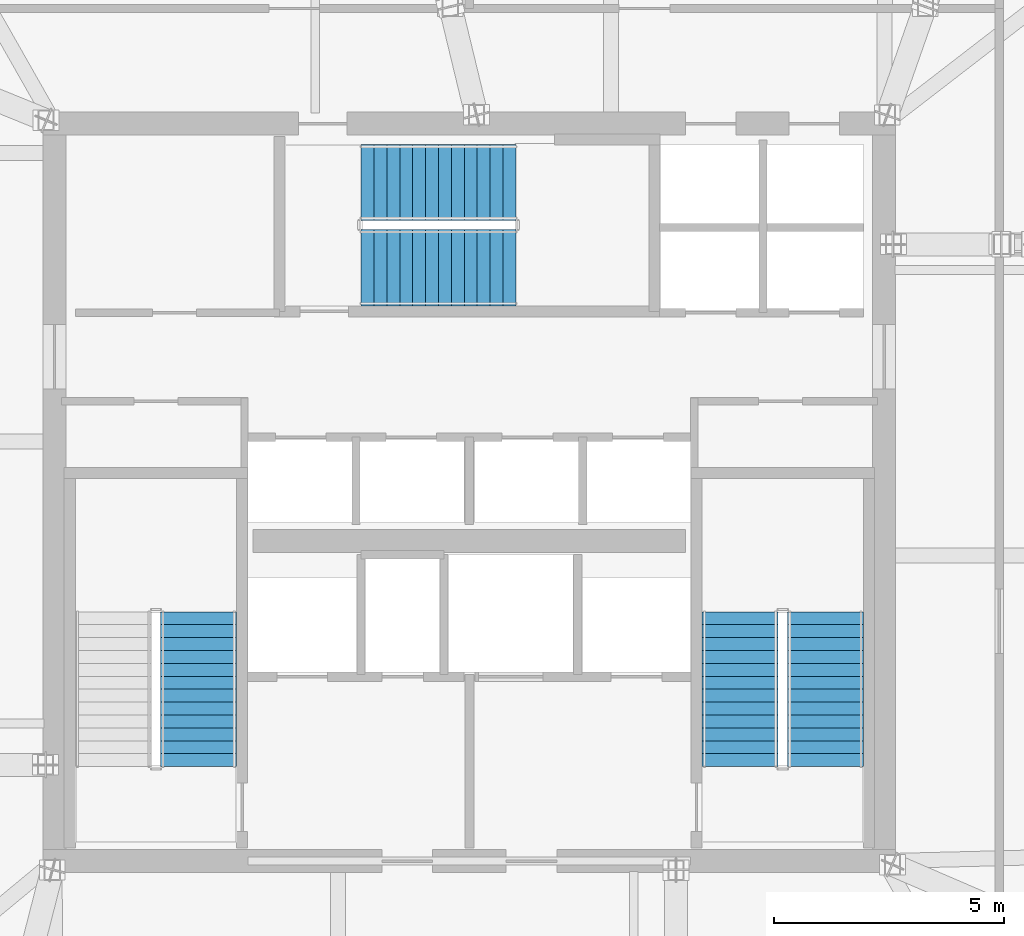
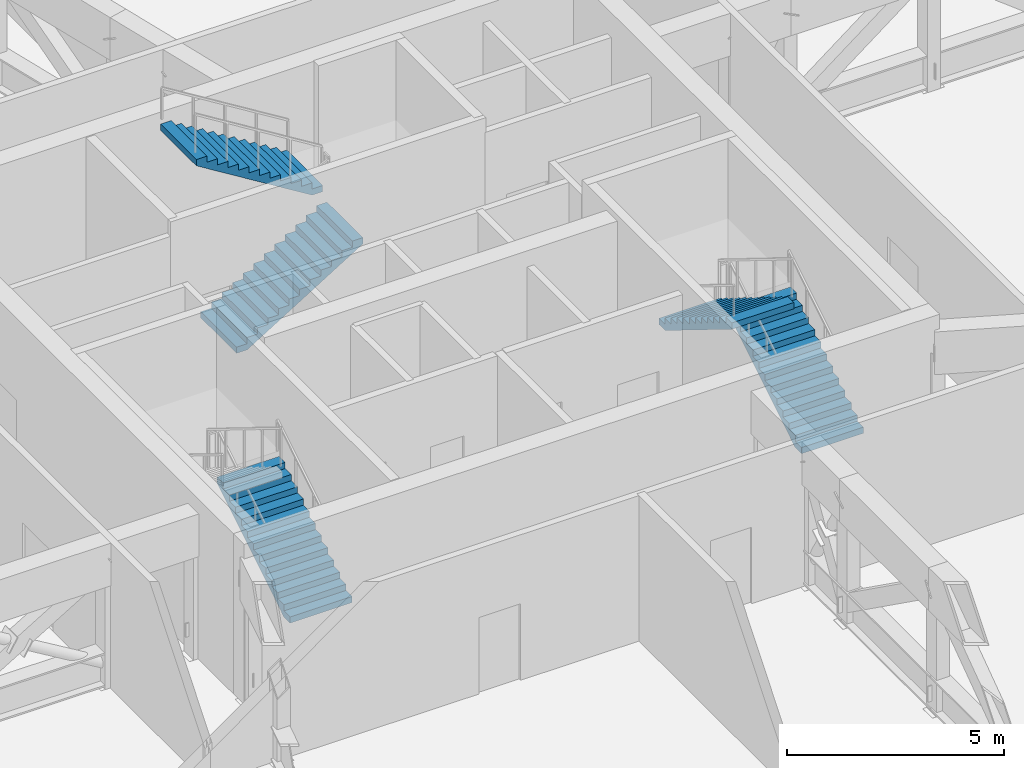
# One storey, part 14 of 18: 5 stair flights, 3 elements without a shape of their own.
"""IFC4 building model written with IfcOpenShell, lengths in metres."""

from ifc_helpers import new_model, si_unit, direction, frame, origin, place, context, subcontext, project, spatial, polyline, outline, extrude, material, type_object, element, aggregate, save


model = new_model("IFC4")

# Units and contexts
model_context = context("Model", 3, precision=1e-05, world=origin(), true_north=direction((0.0, 1.0)))
body_context = subcontext(model_context, "Body", "Model", "MODEL_VIEW")
ifc_project = project(units=[si_unit("LENGTHUNIT", "METRE"), si_unit("AREAUNIT", "SQUARE_METRE"), si_unit("VOLUMEUNIT", "CUBIC_METRE"), si_unit("PLANEANGLEUNIT", "RADIAN"), si_unit("MASSUNIT", "GRAM", prefix="KILO")], contexts=[model_context])

# Site, building, storey
site_placement = place(None, origin())
site = spatial("IfcSite", under=ifc_project, at=site_placement, CompositionType="ELEMENT")
building_placement = place(site_placement, origin())
building = spatial("IfcBuilding", under=site, at=building_placement, Name="Haldenkirk Collegiate Tower", CompositionType="ELEMENT")
storey_placement = place(building_placement, frame((0.0, 0.0, 189.449951171875)))
storey = spatial("IfcBuildingStorey", under=building, at=storey_placement, Name="L47", CompositionType="ELEMENT", Elevation=189.449951171875)

# Stair, stair flight
ifc_material = material(Name="Concrete f'c 40 MPa", Category="concrete")
stair_type = type_object("IfcStairType", Name="STR-DOGLEG-1650", PredefinedType="HALF_TURN_STAIR", material=ifc_material)
stair_1_placement = place(storey_placement, origin())
stair_1 = element("IfcStair", 1, at=stair_1_placement, inside=storey, type_object=stair_type, Name="L47 Core Exit Stair ST-1", PredefinedType="HALF_TURN_STAIR")
stair_flight_type = type_object("IfcStairFlightType", Name="STF-FLIGHT-1650", PredefinedType="STRAIGHT", material=ifc_material)
stair_flight_1_placement = place(storey_placement, frame((30.125, 20.050048828125, 0.0), z_axis=(0.0, 0.0, 1.0), x_axis=(0.0, 1.0, 0.0)))
stair_flight_1 = element("IfcStairFlight", 2, at=stair_flight_1_placement, type_object=stair_flight_type, Name="ST-1 flight 1", NumberOfRisers=13, NumberOfTreads=12, PredefinedType="STRAIGHT", RiserHeight=0.173076923, TreadLength=0.28, context=body_context, shape_type="SweptSolid", body=[
    extrude(outline(polyline([(0.0, 0.0), (0.0, 0.173095703125), (0.280029296875, 0.173095703125), (0.280029296875, 0.34619140625), (0.56005859375, 0.34619140625), (0.56005859375, 0.519287109375), (0.840087890625, 0.519287109375), (0.840087890625, 0.6923828125), (1.1201171875, 0.6923828125), (1.1201171875, 0.865478515625), (1.39990234375, 0.865478515625), (1.39990234375, 1.03857421875), (1.679931640625, 1.03857421875), (1.679931640625, 1.21142578125), (1.9599609375, 1.21142578125), (1.9599609375, 1.384521484375), (2.239990234375, 1.384521484375), (2.239990234375, 1.5576171875), (2.52001953125, 1.5576171875), (2.52001953125, 1.730712890625), (2.800048828125, 1.730712890625), (2.800048828125, 1.90380859375), (3.080078125, 1.90380859375), (3.080078125, 2.076904296875), (3.360107421875, 2.076904296875), (3.360107421875, 2.25), (3.360107421875, 1.900634765625), (0.28515625, 0.0), (0.0, 0.0)])), frame((0.0, 0.824951171875, 0.0), z_axis=(0.0, -1.0, 0.0), x_axis=(1.0, 0.0, 0.0)), (0.0, 0.0, 1.0), 1.64990234375),
])
aggregate(stair_1, [stair_flight_1])

# Stair, stair flights
stair_2_placement = place(storey_placement, origin())
stair_2 = element("IfcStair", 3, at=stair_2_placement, inside=storey, type_object=stair_type, Name="L47 Core Exit Stair ST-2", PredefinedType="HALF_TURN_STAIR")
stair_flight_2_placement = place(storey_placement, frame((43.72509765625, 20.050048828125, 0.0), z_axis=(0.0, 0.0, 1.0), x_axis=(0.0, 1.0, 0.0)))
stair_flight_2 = element("IfcStairFlight", 4, at=stair_flight_2_placement, type_object=stair_flight_type, Name="ST-2 flight 1", NumberOfRisers=13, NumberOfTreads=12, PredefinedType="STRAIGHT", RiserHeight=0.173076923, TreadLength=0.28, context=body_context, shape_type="SweptSolid", body=[
    extrude(outline(polyline([(0.0, 0.0), (0.0, 0.173095703125), (0.280029296875, 0.173095703125), (0.280029296875, 0.34619140625), (0.56005859375, 0.34619140625), (0.56005859375, 0.519287109375), (0.840087890625, 0.519287109375), (0.840087890625, 0.6923828125), (1.1201171875, 0.6923828125), (1.1201171875, 0.865478515625), (1.39990234375, 0.865478515625), (1.39990234375, 1.03857421875), (1.679931640625, 1.03857421875), (1.679931640625, 1.21142578125), (1.9599609375, 1.21142578125), (1.9599609375, 1.384521484375), (2.239990234375, 1.384521484375), (2.239990234375, 1.5576171875), (2.52001953125, 1.5576171875), (2.52001953125, 1.730712890625), (2.800048828125, 1.730712890625), (2.800048828125, 1.90380859375), (3.080078125, 1.90380859375), (3.080078125, 2.076904296875), (3.360107421875, 2.076904296875), (3.360107421875, 2.25), (3.360107421875, 1.900634765625), (0.28515625, 0.0), (0.0, 0.0)])), frame((0.0, 0.824951171875, 0.0), z_axis=(0.0, -1.0, 0.0), x_axis=(1.0, 0.0, 0.0)), (0.0, 0.0, 1.0), 1.64990234375),
])
stair_flight_3_placement = place(storey_placement, frame((41.875, 23.409912109375, 2.25), z_axis=(0.0, 0.0, 1.0), x_axis=(0.0, -1.0, 0.0)))
stair_flight_3 = element("IfcStairFlight", 5, at=stair_flight_3_placement, type_object=stair_flight_type, Name="ST-2 flight 2", NumberOfRisers=13, NumberOfTreads=12, PredefinedType="STRAIGHT", RiserHeight=0.173076923, TreadLength=0.28, context=body_context, shape_type="SweptSolid", body=[
    extrude(outline(polyline([(0.0, 0.0), (0.0, 0.173095703125), (0.280029296875, 0.173095703125), (0.280029296875, 0.34619140625), (0.56005859375, 0.34619140625), (0.56005859375, 0.519287109375), (0.840087890625, 0.519287109375), (0.840087890625, 0.6923828125), (1.1201171875, 0.6923828125), (1.1201171875, 0.865478515625), (1.39990234375, 0.865478515625), (1.39990234375, 1.03857421875), (1.679931640625, 1.03857421875), (1.679931640625, 1.21142578125), (1.9599609375, 1.21142578125), (1.9599609375, 1.384521484375), (2.239990234375, 1.384521484375), (2.239990234375, 1.5576171875), (2.52001953125, 1.5576171875), (2.52001953125, 1.730712890625), (2.800048828125, 1.730712890625), (2.800048828125, 1.90380859375), (3.080078125, 1.90380859375), (3.080078125, 2.076904296875), (3.360107421875, 2.076904296875), (3.360107421875, 2.25), (3.360107421875, 1.900634765625), (0.28515625, 0.0), (0.0, 0.0)])), frame((0.0, 0.824951171875, 0.0), z_axis=(0.0, -1.0, 0.0), x_axis=(1.0, 0.0, 0.0)), (0.0, 0.0, 1.0), 1.64990234375),
])
aggregate(stair_2, [stair_flight_2, stair_flight_3])

stair_3_placement = place(storey_placement, origin())
stair_3 = element("IfcStair", 6, at=stair_3_placement, inside=storey, type_object=stair_type, Name="L47 Core Exit Stair ST-3", PredefinedType="HALF_TURN_STAIR")
stair_flight_4_placement = place(storey_placement, frame((33.64990234375, 30.875, 0.0), z_axis=(0.0, 0.0, 1.0), x_axis=(1.0, 0.0, 0.0)))
stair_flight_4 = element("IfcStairFlight", 7, at=stair_flight_4_placement, type_object=stair_flight_type, Name="ST-3 flight 1", NumberOfRisers=13, NumberOfTreads=12, PredefinedType="STRAIGHT", RiserHeight=0.173076923, TreadLength=0.28, context=body_context, shape_type="SweptSolid", body=[
    extrude(outline(polyline([(0.0, 0.0), (0.0, 0.173095703125), (0.280029296875, 0.173095703125), (0.280029296875, 0.34619140625), (0.56005859375, 0.34619140625), (0.56005859375, 0.519287109375), (0.840087890625, 0.519287109375), (0.840087890625, 0.6923828125), (1.1201171875, 0.6923828125), (1.1201171875, 0.865478515625), (1.39990234375, 0.865478515625), (1.39990234375, 1.03857421875), (1.679931640625, 1.03857421875), (1.679931640625, 1.21142578125), (1.9599609375, 1.21142578125), (1.9599609375, 1.384521484375), (2.239990234375, 1.384521484375), (2.239990234375, 1.5576171875), (2.52001953125, 1.5576171875), (2.52001953125, 1.730712890625), (2.800048828125, 1.730712890625), (2.800048828125, 1.90380859375), (3.080078125, 1.90380859375), (3.080078125, 2.076904296875), (3.360107421875, 2.076904296875), (3.360107421875, 2.25), (3.360107421875, 1.900634765625), (0.28515625, 0.0), (0.0, 0.0)])), frame((0.0, 0.824951171875, 0.0), z_axis=(0.0, -1.0, 0.0), x_axis=(1.0, 0.0, 0.0)), (0.0, 0.0, 1.0), 1.64990234375),
])
stair_flight_5_placement = place(storey_placement, frame((37.010009765625, 32.72509765625, 2.25), z_axis=(0.0, 0.0, 1.0), x_axis=(-1.0, 0.0, 0.0)))
stair_flight_5 = element("IfcStairFlight", 8, at=stair_flight_5_placement, type_object=stair_flight_type, Name="ST-3 flight 2", NumberOfRisers=13, NumberOfTreads=12, PredefinedType="STRAIGHT", RiserHeight=0.173076923, TreadLength=0.28, context=body_context, shape_type="SweptSolid", body=[
    extrude(outline(polyline([(0.0, 0.0), (0.0, 0.173095703125), (0.280029296875, 0.173095703125), (0.280029296875, 0.34619140625), (0.56005859375, 0.34619140625), (0.56005859375, 0.519287109375), (0.840087890625, 0.519287109375), (0.840087890625, 0.6923828125), (1.1201171875, 0.6923828125), (1.1201171875, 0.865478515625), (1.39990234375, 0.865478515625), (1.39990234375, 1.03857421875), (1.679931640625, 1.03857421875), (1.679931640625, 1.21142578125), (1.9599609375, 1.21142578125), (1.9599609375, 1.384521484375), (2.239990234375, 1.384521484375), (2.239990234375, 1.5576171875), (2.52001953125, 1.5576171875), (2.52001953125, 1.730712890625), (2.800048828125, 1.730712890625), (2.800048828125, 1.90380859375), (3.080078125, 1.90380859375), (3.080078125, 2.076904296875), (3.360107421875, 2.076904296875), (3.360107421875, 2.25), (3.360107421875, 1.900634765625), (0.28515625, 0.0), (0.0, 0.0)])), frame((0.0, 0.824951171875, 0.0), z_axis=(0.0, -1.0, 0.0), x_axis=(1.0, 0.0, 0.0)), (0.0, 0.0, 1.0), 1.64990234375),
])
aggregate(stair_3, [stair_flight_4, stair_flight_5])

save(model, "model.ifc")
